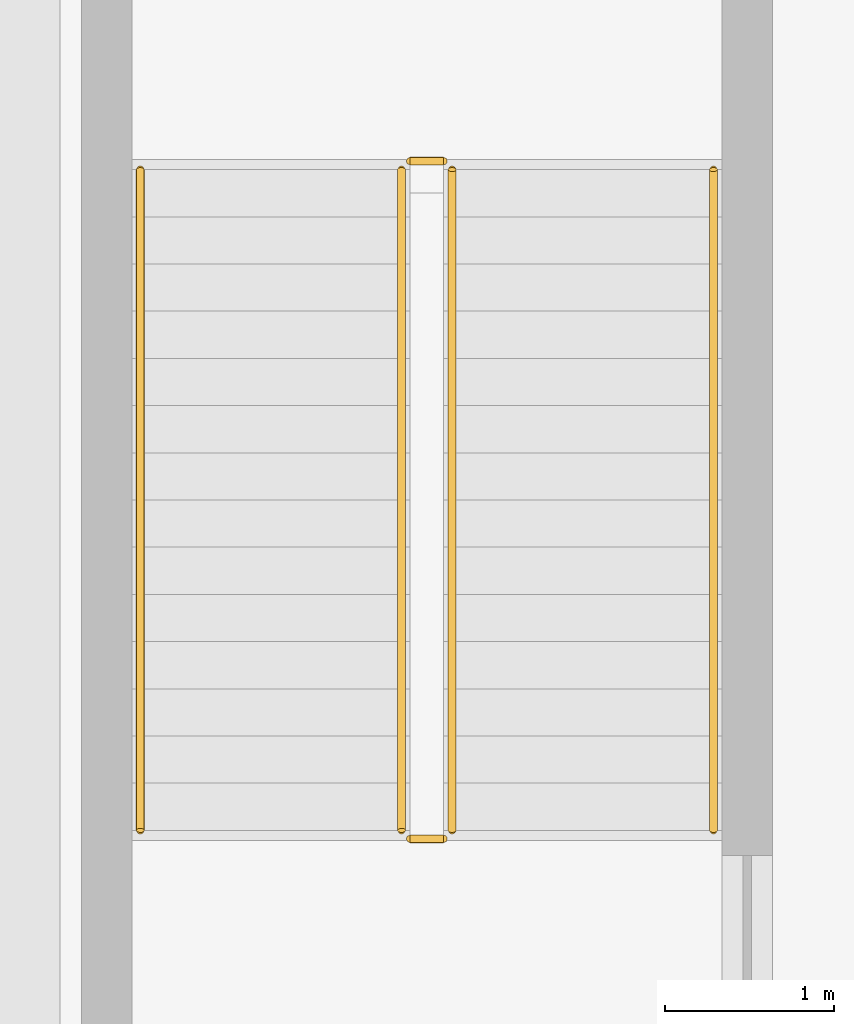
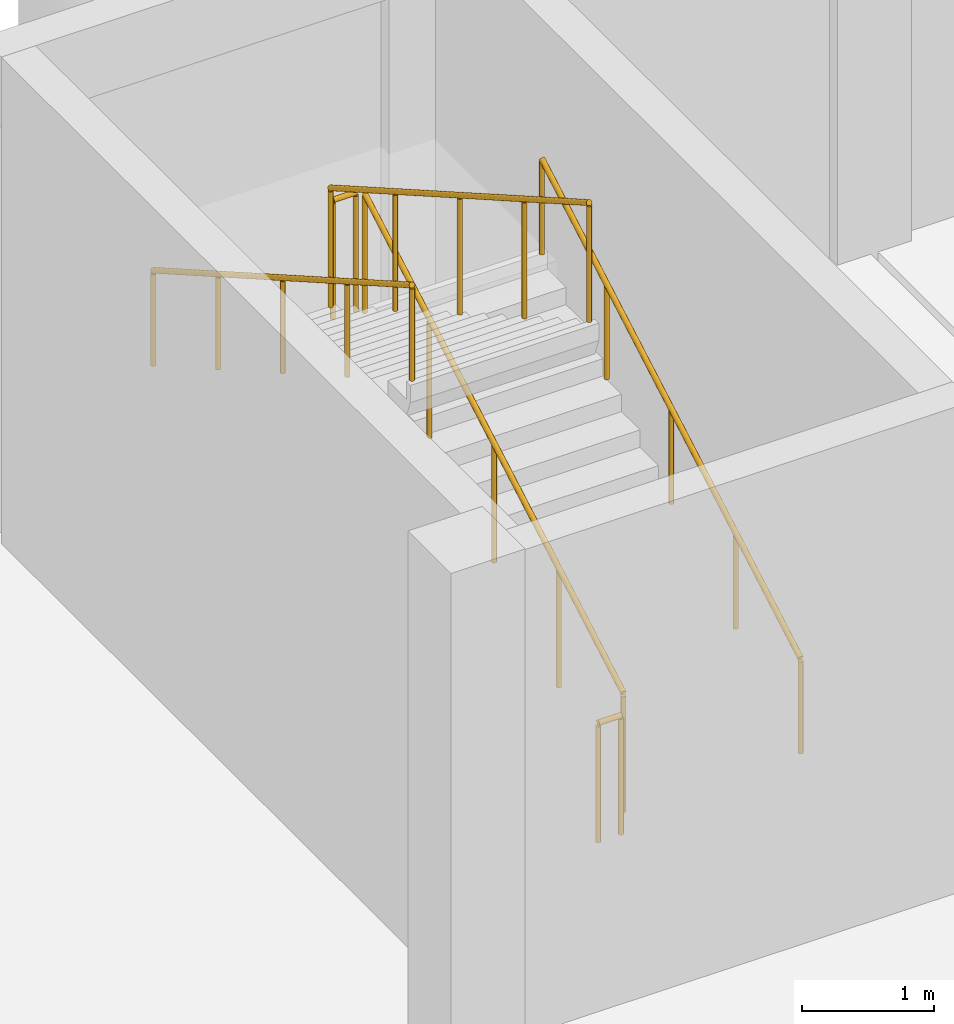
# One storey, part 43 of 52: 6 railings.
"""IFC4 building model written with IfcOpenShell, lengths in metres."""

from ifc_helpers import new_model, si_unit, direction, frame, origin, origin_2d, place, context, subcontext, project, spatial, circle, extrude, material, type_object, element, save


model = new_model("IFC4")

# Units and contexts
model_context = context("Model", 3, precision=1e-05, world=origin(), true_north=direction((0.0, 1.0)))
body_context = subcontext(model_context, "Body", "Model", "MODEL_VIEW")
ifc_project = project(units=[si_unit("LENGTHUNIT", "METRE"), si_unit("AREAUNIT", "SQUARE_METRE"), si_unit("VOLUMEUNIT", "CUBIC_METRE"), si_unit("PLANEANGLEUNIT", "RADIAN"), si_unit("MASSUNIT", "GRAM", prefix="KILO")], contexts=[model_context])

# Site, building, storey
site_placement = place(None, origin())
site = spatial("IfcSite", under=ifc_project, at=site_placement, CompositionType="ELEMENT")
building_placement = place(site_placement, origin())
building = spatial("IfcBuilding", under=site, at=building_placement, Name="Luwemba Playhouse", CompositionType="ELEMENT")
storey_placement = place(building_placement, frame((0.0, 0.0, -4.800048828125)))
storey = spatial("IfcBuildingStorey", under=building, at=storey_placement, Name="B1", CompositionType="ELEMENT", Elevation=-4.800048828125)

# Railings
ifc_material_1 = material(Name="Painted wrought-iron gallery balustrade", Category="steel")
railing_type_1 = type_object("IfcRailingType", Name="RLG-BAL-INT", PredefinedType="BALUSTRADE", material=ifc_material_1)
railing_1_placement = place(storey_placement, frame((126.550048828125, 21.0400390625, 0.16015625)))
element("IfcRailing", 1, at=railing_1_placement, inside=storey, type_object=railing_type_1, Name="B1 ST-14 stair guard 1", PredefinedType="BALUSTRADE", context=body_context, shape_type="SweptSolid", body=[
    extrude(circle(Radius=0.02392578125, at=origin_2d()), frame((0.0, 0.0, 1.09619140625), z_axis=(0.0, 0.868239814368, 0.496144761885), x_axis=(-1.0, 0.0, 0.0)), (0.0, 0.0, 1.0), 4.514892578125),
    extrude(circle(Radius=0.02099609375, at=origin_2d()), origin(), (0.0, 0.0, 1.0), 1.072021484375),
    extrude(circle(Radius=0.02099609375, at=origin_2d()), frame((0.0, 0.97998046875, 0.56005859375)), (0.0, 0.0, 1.0), 1.072021484375),
    extrude(circle(Radius=0.02099609375, at=origin_2d()), frame((0.0, 1.9599609375, 1.1201171875)), (0.0, 0.0, 1.0), 1.072021484375),
    extrude(circle(Radius=0.02099609375, at=origin_2d()), frame((0.0, 2.93994140625, 1.679931640625)), (0.0, 0.0, 1.0), 1.072021484375),
    extrude(circle(Radius=0.02099609375, at=origin_2d()), frame((0.0, 3.919921875, 2.239990234375)), (0.0, 0.0, 1.0), 1.072021484375),
])
railing_2_placement = place(storey_placement, frame((126.5, 25.010009765625, 2.400146484375)))
element("IfcRailing", 2, at=railing_2_placement, inside=storey, type_object=railing_type_1, Name="B1 ST-14 stair guard 2", PredefinedType="BALUSTRADE", context=body_context, shape_type="SweptSolid", body=[
    extrude(circle(Radius=0.02392578125, at=origin_2d()), frame((0.0, 0.0, 1.09619140625), z_axis=(-1.0, 0.0, 0.0), x_axis=(0.0, -1.0, 0.0)), (0.0, 0.0, 1.0), 0.199951171875),
    extrude(circle(Radius=0.02099609375, at=origin_2d()), origin(), (0.0, 0.0, 1.0), 1.072021484375),
    extrude(circle(Radius=0.02099609375, at=origin_2d()), frame((-0.199951171875, 0.0, 0.0)), (0.0, 0.0, 1.0), 1.072021484375),
])
railing_3_placement = place(storey_placement, frame((126.25, 24.9599609375, 2.56005859375)))
element("IfcRailing", 3, at=railing_3_placement, inside=storey, type_object=railing_type_1, Name="B1 ST-14 stair guard 3", PredefinedType="BALUSTRADE", context=body_context, shape_type="SweptSolid", body=[
    extrude(circle(Radius=0.02392578125, at=origin_2d()), frame((0.0, 0.0, 1.09619140625), z_axis=(0.0, -0.868239814368, 0.496144761885), x_axis=(1.0, 0.0, 0.0)), (0.0, 0.0, 1.0), 4.514892578125),
    extrude(circle(Radius=0.02099609375, at=origin_2d()), origin(), (0.0, 0.0, 1.0), 1.072021484375),
    extrude(circle(Radius=0.02099609375, at=origin_2d()), frame((0.0, -0.97998046875, 0.56005859375)), (0.0, 0.0, 1.0), 1.072021484375),
    extrude(circle(Radius=0.02099609375, at=origin_2d()), frame((0.0, -1.9599609375, 1.1201171875)), (0.0, 0.0, 1.0), 1.072021484375),
    extrude(circle(Radius=0.02099609375, at=origin_2d()), frame((0.0, -2.93994140625, 1.679931640625)), (0.0, 0.0, 1.0), 1.072021484375),
    extrude(circle(Radius=0.02099609375, at=origin_2d()), frame((0.0, -3.919921875, 2.239990234375)), (0.0, 0.0, 1.0), 1.072021484375),
])
railing_4_placement = place(storey_placement, frame((126.5, 20.989990234375, 0.0)))
element("IfcRailing", 4, at=railing_4_placement, inside=storey, type_object=railing_type_1, Name="B1 ST-14 stair guard 4", PredefinedType="BALUSTRADE", context=body_context, shape_type="SweptSolid", body=[
    extrude(circle(Radius=0.02392578125, at=origin_2d()), frame((0.0, 0.0, 1.09619140625), z_axis=(-1.0, 0.0, 0.0), x_axis=(0.0, -1.0, 0.0)), (0.0, 0.0, 1.0), 0.199951171875),
    extrude(circle(Radius=0.02099609375, at=origin_2d()), origin(), (0.0, 0.0, 1.0), 1.072021484375),
    extrude(circle(Radius=0.02099609375, at=origin_2d()), frame((-0.199951171875, 0.0, 0.0)), (0.0, 0.0, 1.0), 1.072021484375),
])
ifc_material_2 = material(Name="Hardwood and bronze handrail", Category="wood")
railing_type_2 = type_object("IfcRailingType", Name="RLG-HR-INT", PredefinedType="HANDRAIL", material=ifc_material_2)
railing_5_placement = place(storey_placement, frame((128.10009765625, 21.0400390625, 0.16015625)))
element("IfcRailing", 5, at=railing_5_placement, inside=storey, type_object=railing_type_2, Name="B1 ST-14 stair handrail 1", PredefinedType="HANDRAIL", context=body_context, shape_type="SweptSolid", body=[
    extrude(circle(Radius=0.02392578125, at=origin_2d()), frame((0.0, 0.0, 0.8759765625), z_axis=(0.0, 0.868239814368, 0.496144761885), x_axis=(-1.0, 0.0, 0.0)), (0.0, 0.0, 1.0), 4.514892578125),
    extrude(circle(Radius=0.02099609375, at=origin_2d()), origin(), (0.0, 0.0, 1.0), 0.851806640625),
    extrude(circle(Radius=0.02099609375, at=origin_2d()), frame((0.0, 0.97998046875, 0.56005859375)), (0.0, 0.0, 1.0), 0.851806640625),
    extrude(circle(Radius=0.02099609375, at=origin_2d()), frame((0.0, 1.9599609375, 1.1201171875)), (0.0, 0.0, 1.0), 0.851806640625),
    extrude(circle(Radius=0.02099609375, at=origin_2d()), frame((0.0, 2.93994140625, 1.679931640625)), (0.0, 0.0, 1.0), 0.851806640625),
    extrude(circle(Radius=0.02099609375, at=origin_2d()), frame((0.0, 3.919921875, 2.239990234375)), (0.0, 0.0, 1.0), 0.851806640625),
])
railing_6_placement = place(storey_placement, frame((124.699951171875, 24.9599609375, 2.56005859375)))
element("IfcRailing", 6, at=railing_6_placement, inside=storey, type_object=railing_type_2, Name="B1 ST-14 stair handrail 2", PredefinedType="HANDRAIL", context=body_context, shape_type="SweptSolid", body=[
    extrude(circle(Radius=0.02392578125, at=origin_2d()), frame((0.0, 0.0, 0.8759765625), z_axis=(0.0, -0.868239814368, 0.496144761885), x_axis=(1.0, 0.0, 0.0)), (0.0, 0.0, 1.0), 4.514892578125),
    extrude(circle(Radius=0.02099609375, at=origin_2d()), origin(), (0.0, 0.0, 1.0), 0.851806640625),
    extrude(circle(Radius=0.02099609375, at=origin_2d()), frame((0.0, -0.97998046875, 0.56005859375)), (0.0, 0.0, 1.0), 0.851806640625),
    extrude(circle(Radius=0.02099609375, at=origin_2d()), frame((0.0, -1.9599609375, 1.1201171875)), (0.0, 0.0, 1.0), 0.851806640625),
    extrude(circle(Radius=0.02099609375, at=origin_2d()), frame((0.0, -2.93994140625, 1.679931640625)), (0.0, 0.0, 1.0), 0.851806640625),
    extrude(circle(Radius=0.02099609375, at=origin_2d()), frame((0.0, -3.919921875, 2.239990234375)), (0.0, 0.0, 1.0), 0.851806640625),
])

save(model, "model.ifc")
